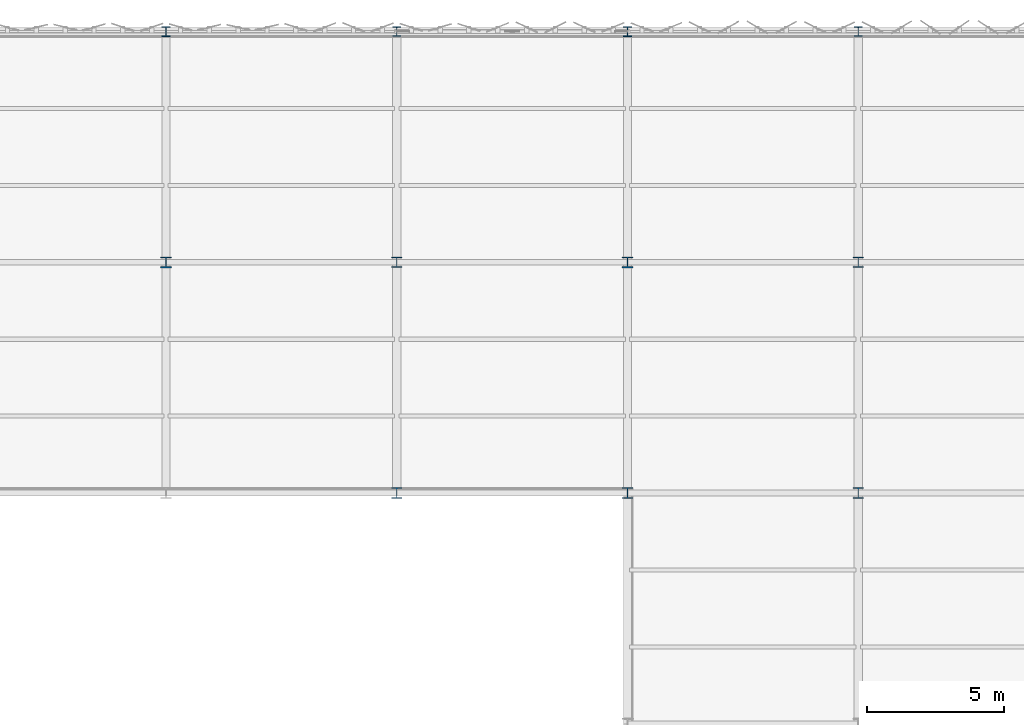
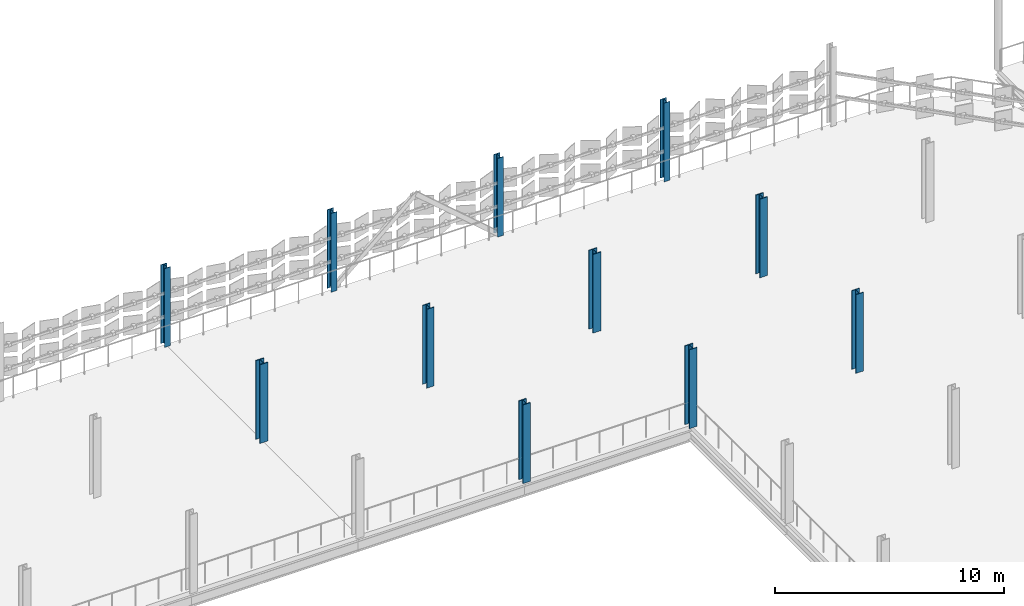
# One storey, part 14 of 184: 11 columns.
"""IFC4 building model written with IfcOpenShell, lengths in metres."""

import ifcopenshell
import ifcopenshell.guid

model = None  # the IFC model being written
_history = None  # IfcOwnerHistory: only IFC2X3 demands one
_inside = {}  # id of a spatial element -> (the spatial element, [elements in it])
_under = {}  # id of a project, library or spatial element -> (it, [spatial elements below it])
_declared = {}  # id of a project -> (the project, [libraries it declares])
_typed = {}  # id of a type object -> (the type object, [elements of that type])
_made_of = {}  # id of a material, layer set ... -> (it, [elements and type objects made of it])


def new_model(schema):
    """Start an empty IFC model of exactly this schema.

    Asked for "IFC4X3", IfcOpenShell would pick the latest addendum, in which some entities
    have other attributes; the version numbers below select the first issue.
    IFC2X3 requires an IfcOwnerHistory on every rooted entity: one is made here for all.
    """
    global model, _history
    if schema == "IFC4X3":
        model = ifcopenshell.file(schema_version=(4, 3, 0, 0))
    else:
        model = ifcopenshell.file(schema=schema)
    _inside.clear()
    _under.clear()
    _declared.clear()
    _typed.clear()
    _made_of.clear()
    _history = None
    if model.schema == "IFC2X3":
        org = make("IfcOrganization", Name="unknown")
        user = make(
            "IfcPersonAndOrganization",
            ThePerson=make("IfcPerson", FamilyName="unknown"),
            TheOrganization=org,
        )
        app = make(
            "IfcApplication",
            ApplicationDeveloper=org,
            Version="unknown",
            ApplicationFullName="unknown",
            ApplicationIdentifier="unknown",
        )
        _history = make(
            "IfcOwnerHistory",
            OwningUser=user,
            OwningApplication=app,
            ChangeAction="ADDED",
            CreationDate=0,
        )
    return model


def make(cls, **values):
    """One entity of the class cls with the attributes given. An attribute that is None is left unset."""
    return model.create_entity(
        cls, **{name: value for name, value in values.items() if value is not None}
    )


def rooted(cls, **values):
    """An entity with a GlobalId (a new one), such as an element, a storey or a relation."""
    return make(cls, GlobalId=ifcopenshell.guid.new(), OwnerHistory=_history, **values)


def si_unit(unit_type, name, prefix=None):
    """IfcSIUnit, for example si_unit("LENGTHUNIT", "METRE", prefix="MILLI")."""
    return make("IfcSIUnit", UnitType=unit_type, Prefix=prefix, Name=name)


def assignment(units):
    """IfcUnitAssignment: the units of a project."""
    return None if units is None else make("IfcUnitAssignment", Units=units)


def point(xyz):
    """IfcCartesianPoint."""
    return None if xyz is None else make("IfcCartesianPoint", Coordinates=xyz)


def direction(xyz):
    """IfcDirection."""
    return None if xyz is None else make("IfcDirection", DirectionRatios=xyz)


def frame(location, z_axis=None, x_axis=None):
    """IfcAxis2Placement3D, a coordinate frame: its origin and axes. An axis left out is left unset."""
    return make(
        "IfcAxis2Placement3D",
        Location=point(location),
        Axis=direction(z_axis),
        RefDirection=direction(x_axis),
    )


def frame_2d(location, x_axis=None):
    """IfcAxis2Placement2D, a coordinate frame in the plane: its origin and x axis."""
    return make(
        "IfcAxis2Placement2D", Location=point(location), RefDirection=direction(x_axis)
    )


def origin():
    """The frame at (0, 0, 0) with its axes left unset."""
    return frame((0.0, 0.0, 0.0))


def origin_2d():
    """The frame at (0, 0) in the plane with its x axis left unset."""
    return frame_2d((0.0, 0.0))


def place(relative_to, where):
    """IfcLocalPlacement: puts the frame where relative to a parent placement (None: the world)."""
    return make(
        "IfcLocalPlacement", PlacementRelTo=relative_to, RelativePlacement=where
    )


def context(
    kind, dimensions, precision=None, world=None, true_north=None, identifier=None
):
    """IfcGeometricRepresentationContext, for example the 3D "Model" context."""
    return make(
        "IfcGeometricRepresentationContext",
        ContextIdentifier=identifier,
        ContextType=kind,
        CoordinateSpaceDimension=dimensions,
        Precision=precision,
        WorldCoordinateSystem=world,
        TrueNorth=true_north,
    )


def subcontext(parent, identifier, kind, view, scale=None):
    """IfcGeometricRepresentationSubContext, for example "Body" below "Model"."""
    return make(
        "IfcGeometricRepresentationSubContext",
        ContextIdentifier=identifier,
        ContextType=kind,
        ParentContext=parent,
        TargetScale=scale,
        TargetView=view,
    )


def project(units=None, contexts=None):
    """IfcProject with its units and contexts."""
    return rooted(
        "IfcProject",
        Name="project",
        RepresentationContexts=contexts,
        UnitsInContext=assignment(units),
    )


def spatial(cls, under=None, at=None, **own):
    """A site, building, storey or space (cls), placed at a placement, below another one or the project."""
    s = rooted(cls, ObjectPlacement=at, **own)
    if under is not None:
        _under.setdefault(under.id(), (under, []))[1].append(s)
    return s


def profile(cls, at=None, kind="AREA", **sizes):
    """A parametric profile (cls). Its sizes go by their IFC names, for example OverallWidth=200.0."""
    return make(cls, ProfileType=kind, Position=at, **sizes)


def i_section(**sizes):
    """IfcIShapeProfileDef."""
    return profile("IfcIShapeProfileDef", **sizes)


def extrude(swept, where, along, depth):
    """IfcExtrudedAreaSolid: the profile swept, set in the frame where, extruded along a direction by depth."""
    return make(
        "IfcExtrudedAreaSolid",
        SweptArea=swept,
        Position=where,
        ExtrudedDirection=direction(along),
        Depth=depth,
    )


def shape(context_of_items, identifier, shape_type, items):
    """IfcShapeRepresentation: the items that make up one representation, for example the "Body"."""
    return make(
        "IfcShapeRepresentation",
        ContextOfItems=context_of_items,
        RepresentationIdentifier=identifier,
        RepresentationType=shape_type,
        Items=items,
    )


def material(Name=None, Category=None):
    """IfcMaterial."""
    return make("IfcMaterial", Name=Name, Category=Category)


def material_profile(
    of_material, cross_section, Name=None, Category=None, Priority=None
):
    """IfcMaterialProfile: a cross section and its material."""
    return make(
        "IfcMaterialProfile",
        Name=Name,
        Material=of_material,
        Profile=cross_section,
        Priority=Priority,
        Category=Category,
    )


def profile_set(profiles, Name=None, composite=None):
    """IfcMaterialProfileSet."""
    return make(
        "IfcMaterialProfileSet",
        Name=Name,
        MaterialProfiles=profiles,
        CompositeProfile=composite,
    )


def made_of(thing, what):
    """Note that an element or type object is made of a material, layer set ...; save() writes the relation."""
    if what is not None:
        _made_of.setdefault(what.id(), (what, []))[1].append(thing)
    return thing


def type_object(cls, material=None, **own):
    """A type object (cls), such as IfcWallType, which elements share."""
    return made_of(rooted(cls, **own), material)


def element(
    cls,
    number,
    at=None,
    inside=None,
    cuts=None,
    type_object=None,
    material=None,
    context=None,
    identifier="Body",
    shape_type=None,
    held_by="IfcProductDefinitionShape",
    body=None,
    shapes=None,
    **own,
):
    """One element of the class cls, such as IfcWall. Its Tag is "e" and its number.

    at: its placement. inside: the storey or other place that contains it. cuts: it is an
    opening in that element (IfcRelVoidsElement). A single representation is given by context,
    identifier, shape_type and body (its items); several are given by shapes. held_by: the class
    of the entity that holds the representations. save() writes the other relations.
    """
    e = rooted(cls, Tag="e%d" % number, ObjectPlacement=at, **own)
    if body is not None:
        shapes = [shape(context, identifier, shape_type, body)]
    if shapes is not None:
        e.Representation = make(held_by, Representations=shapes)
    if inside is not None:
        _inside.setdefault(inside.id(), (inside, []))[1].append(e)
    if cuts is not None:
        rooted(
            "IfcRelVoidsElement", RelatingBuildingElement=cuts, RelatedOpeningElement=e
        )
    if type_object is not None:
        _typed.setdefault(type_object.id(), (type_object, []))[1].append(e)
    return made_of(e, material)


def aggregate(whole, parts):
    """IfcRelAggregates: a whole, such as a stair, and the parts it consists of."""
    return rooted("IfcRelAggregates", RelatingObject=whole, RelatedObjects=parts)


def save(model, path):
    """Write the relations noted so far, then the file.

    IfcRelAggregates (storeys below a building ...), IfcRelContainedInSpatialStructure (elements
    in a storey), IfcRelDefinesByType, IfcRelAssociatesMaterial and IfcRelDeclares: one each for
    every whole, place, type object, material and project.
    """
    for whole, parts in _under.values():
        aggregate(whole, parts)
    for where, things in _inside.values():
        rooted(
            "IfcRelContainedInSpatialStructure",
            RelatedElements=things,
            RelatingStructure=where,
        )
    for kind, things in _typed.values():
        rooted("IfcRelDefinesByType", RelatedObjects=things, RelatingType=kind)
    for what, things in _made_of.values():
        rooted("IfcRelAssociatesMaterial", RelatedObjects=things, RelatingMaterial=what)
    for by, libraries in _declared.values():
        rooted("IfcRelDeclares", RelatingContext=by, RelatedDefinitions=libraries)
    model.write(path)


model = new_model("IFC4")

# Units and contexts
model_context = context("Model", 3, precision=1e-05, world=origin(), true_north=direction((0.0, 1.0)))
body_context = subcontext(model_context, "Body", "Model", "MODEL_VIEW")
ifc_project = project(units=[si_unit("LENGTHUNIT", "METRE"), si_unit("AREAUNIT", "SQUARE_METRE"), si_unit("VOLUMEUNIT", "CUBIC_METRE"), si_unit("PLANEANGLEUNIT", "RADIAN"), si_unit("MASSUNIT", "GRAM", prefix="KILO")], contexts=[model_context])

# Site, building, storey
site_placement = place(None, origin())
site = spatial("IfcSite", under=ifc_project, at=site_placement, CompositionType="ELEMENT")
building_placement = place(site_placement, origin())
building = spatial("IfcBuilding", under=site, at=building_placement, Name="Qalvenar Corner Mobility Hub", CompositionType="ELEMENT")
storey_placement = place(building_placement, frame((0.0, 0.0, 9.0)))
storey = spatial("IfcBuildingStorey", under=building, at=storey_placement, Name="L02", CompositionType="ELEMENT", Elevation=9.0)

# Columns
ifc_material = material(Name="Steel S355", Category="steel")
ifc_material_profile_1 = material_profile(ifc_material, i_section(OverallWidth=0.376953125, OverallDepth=0.386962890625, WebThickness=0.0224609375, FlangeThickness=0.035888671875, FilletRadius=0.014892578125, at=origin_2d()), Name="HD360x262")
ifc_profile_set_1 = profile_set([ifc_material_profile_1], Name="Steel S355")
column_type_1 = type_object("IfcColumnType", Name="COL-HD360X262", PredefinedType="COLUMN", material=ifc_profile_set_1)
for number, where, z_axis, x_axis, name in (
    (1, (109.199951171875, 100.800048828125, 0.0), (0.0, 0.0, 1.0), (1.0, 0.0, 0.0), "Steel Column L02-G14-12"),
    (2, (109.199951171875, 109.199951171875, 0.0), (0.0, 0.0, 1.0), (1.0, 0.0, 0.0), "Steel Column L02-G14-13"),
    (3, (126.0, 100.800048828125, 0.0), (0.0, 0.0, 1.0), (1.0, 0.0, 0.0), "Steel Column L02-G16-12"),
    (4, (126.0, 109.199951171875, 0.0), (0.0, 0.0, 1.0), (1.0, 0.0, 0.0), "Steel Column L02-G16-13"),
):
    element("IfcColumn", number, at=place(storey_placement, frame(where, z_axis=z_axis, x_axis=x_axis)), inside=storey, type_object=column_type_1, Name=name, PredefinedType="COLUMN", context=body_context, shape_type="SweptSolid", body=[
        extrude(i_section(OverallWidth=0.376953125, OverallDepth=0.386962890625, WebThickness=0.0224609375, FlangeThickness=0.035888671875, FilletRadius=0.014892578125, at=origin_2d()), origin(), (0.0, 0.0, 1.0), 4.199951171875),
    ])
ifc_material_profile_2 = material_profile(ifc_material, i_section(OverallWidth=0.40087890625, OverallDepth=0.39892578125, WebThickness=0.02490234375, FlangeThickness=0.03955078125, FilletRadius=0.014892578125, at=origin_2d()), Name="HD400x314")
ifc_profile_set_2 = profile_set([ifc_material_profile_2], Name="Steel S355")
column_type_2 = type_object("IfcColumnType", Name="COL-HD400X314", PredefinedType="COLUMN", material=ifc_profile_set_2)
for number, where, z_axis, x_axis, name in (
    (5, (100.800048828125, 109.199951171875, 0.0), (0.0, 0.0, 1.0), (1.0, 0.0, 0.0), "Steel Column L02-G13-13"),
    (6, (117.60009765625, 100.800048828125, 0.0), (0.0, 0.0, 1.0), (1.0, 0.0, 0.0), "Steel Column L02-G15-12"),
    (7, (117.60009765625, 109.199951171875, 0.0), (0.0, 0.0, 1.0), (1.0, 0.0, 0.0), "Steel Column L02-G15-13"),
):
    element("IfcColumn", number, at=place(storey_placement, frame(where, z_axis=z_axis, x_axis=x_axis)), inside=storey, type_object=column_type_2, Name=name, PredefinedType="COLUMN", context=body_context, shape_type="SweptSolid", body=[
        extrude(i_section(OverallWidth=0.40087890625, OverallDepth=0.39892578125, WebThickness=0.02490234375, FlangeThickness=0.03955078125, FilletRadius=0.014892578125, at=origin_2d()), origin(), (0.0, 0.0, 1.0), 4.199951171875),
    ])
ifc_material_profile_3 = material_profile(ifc_material, i_section(OverallWidth=0.300048828125, OverallDepth=0.35009765625, WebThickness=0.010009765625, FlangeThickness=0.017578125, FilletRadius=0.027099609375, at=origin_2d()), Name="HEA360")
ifc_profile_set_3 = profile_set([ifc_material_profile_3], Name="Steel S355")
column_type_3 = type_object("IfcColumnType", Name="COL-HEA360", PredefinedType="COLUMN", material=ifc_profile_set_3)
for number, where, z_axis, x_axis, name in (
    (8, (109.199951171875, 117.60009765625, 0.0), (0.0, 0.0, 1.0), (1.0, 0.0, 0.0), "Steel Column L02-G14-14"),
    (9, (126.0, 117.60009765625, 0.0), (0.0, 0.0, 1.0), (1.0, 0.0, 0.0), "Steel Column L02-G16-14"),
):
    element("IfcColumn", number, at=place(storey_placement, frame(where, z_axis=z_axis, x_axis=x_axis)), inside=storey, type_object=column_type_3, Name=name, PredefinedType="COLUMN", context=body_context, shape_type="SweptSolid", body=[
        extrude(i_section(OverallWidth=0.300048828125, OverallDepth=0.35009765625, WebThickness=0.010009765625, FlangeThickness=0.017578125, FilletRadius=0.027099609375, at=origin_2d()), origin(), (0.0, 0.0, 1.0), 4.199951171875),
    ])
ifc_material_profile_4 = material_profile(ifc_material, i_section(OverallWidth=0.300048828125, OverallDepth=0.360107421875, WebThickness=0.012451171875, FlangeThickness=0.0224609375, FilletRadius=0.027099609375, at=origin_2d()), Name="HEB360")
ifc_profile_set_4 = profile_set([ifc_material_profile_4], Name="Steel S355")
column_type_4 = type_object("IfcColumnType", Name="COL-HEB360", PredefinedType="COLUMN", material=ifc_profile_set_4)
for number, where, z_axis, x_axis, name in (
    (10, (100.800048828125, 117.60009765625, 0.0), (0.0, 0.0, 1.0), (1.0, 0.0, 0.0), "Steel Column L02-G13-14"),
    (11, (117.60009765625, 117.60009765625, 0.0), (0.0, 0.0, 1.0), (1.0, 0.0, 0.0), "Steel Column L02-G15-14"),
):
    element("IfcColumn", number, at=place(storey_placement, frame(where, z_axis=z_axis, x_axis=x_axis)), inside=storey, type_object=column_type_4, Name=name, PredefinedType="COLUMN", context=body_context, shape_type="SweptSolid", body=[
        extrude(i_section(OverallWidth=0.300048828125, OverallDepth=0.360107421875, WebThickness=0.012451171875, FlangeThickness=0.0224609375, FilletRadius=0.027099609375, at=origin_2d()), origin(), (0.0, 0.0, 1.0), 4.199951171875),
    ])

save(model, "model.ifc")
